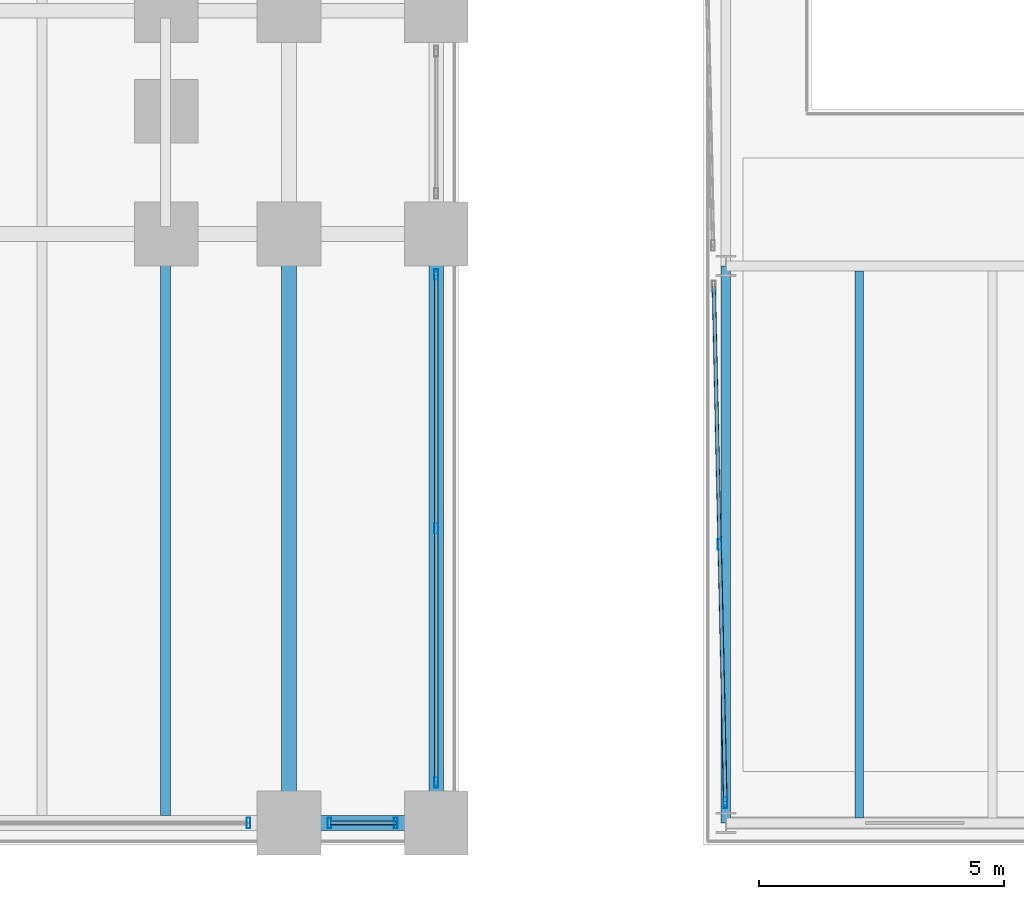
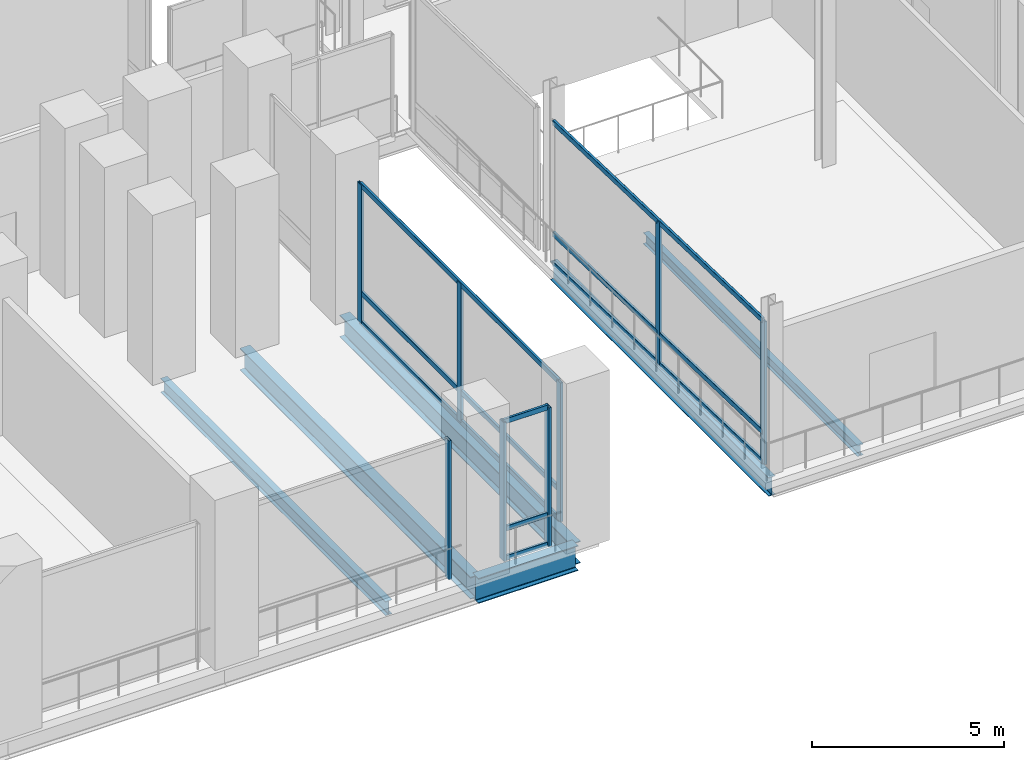
# One storey, part 11 of 31: 17 members, 6 beams, 4 elements without a shape of their own.
"""IFC4 building model written with IfcOpenShell, lengths in metres."""

import ifcopenshell
import ifcopenshell.guid

model = None  # the IFC model being written
_history = None  # IfcOwnerHistory: only IFC2X3 demands one
_inside = {}  # id of a spatial element -> (the spatial element, [elements in it])
_under = {}  # id of a project, library or spatial element -> (it, [spatial elements below it])
_declared = {}  # id of a project -> (the project, [libraries it declares])
_typed = {}  # id of a type object -> (the type object, [elements of that type])
_made_of = {}  # id of a material, layer set ... -> (it, [elements and type objects made of it])


def new_model(schema):
    """Start an empty IFC model of exactly this schema.

    Asked for "IFC4X3", IfcOpenShell would pick the latest addendum, in which some entities
    have other attributes; the version numbers below select the first issue.
    IFC2X3 requires an IfcOwnerHistory on every rooted entity: one is made here for all.
    """
    global model, _history
    if schema == "IFC4X3":
        model = ifcopenshell.file(schema_version=(4, 3, 0, 0))
    else:
        model = ifcopenshell.file(schema=schema)
    _inside.clear()
    _under.clear()
    _declared.clear()
    _typed.clear()
    _made_of.clear()
    _history = None
    if model.schema == "IFC2X3":
        org = make("IfcOrganization", Name="unknown")
        user = make(
            "IfcPersonAndOrganization",
            ThePerson=make("IfcPerson", FamilyName="unknown"),
            TheOrganization=org,
        )
        app = make(
            "IfcApplication",
            ApplicationDeveloper=org,
            Version="unknown",
            ApplicationFullName="unknown",
            ApplicationIdentifier="unknown",
        )
        _history = make(
            "IfcOwnerHistory",
            OwningUser=user,
            OwningApplication=app,
            ChangeAction="ADDED",
            CreationDate=0,
        )
    return model


def make(cls, **values):
    """One entity of the class cls with the attributes given. An attribute that is None is left unset."""
    return model.create_entity(
        cls, **{name: value for name, value in values.items() if value is not None}
    )


def rooted(cls, **values):
    """An entity with a GlobalId (a new one), such as an element, a storey or a relation."""
    return make(cls, GlobalId=ifcopenshell.guid.new(), OwnerHistory=_history, **values)


def si_unit(unit_type, name, prefix=None):
    """IfcSIUnit, for example si_unit("LENGTHUNIT", "METRE", prefix="MILLI")."""
    return make("IfcSIUnit", UnitType=unit_type, Prefix=prefix, Name=name)


def assignment(units):
    """IfcUnitAssignment: the units of a project."""
    return None if units is None else make("IfcUnitAssignment", Units=units)


def point(xyz):
    """IfcCartesianPoint."""
    return None if xyz is None else make("IfcCartesianPoint", Coordinates=xyz)


def direction(xyz):
    """IfcDirection."""
    return None if xyz is None else make("IfcDirection", DirectionRatios=xyz)


def frame(location, z_axis=None, x_axis=None):
    """IfcAxis2Placement3D, a coordinate frame: its origin and axes. An axis left out is left unset."""
    return make(
        "IfcAxis2Placement3D",
        Location=point(location),
        Axis=direction(z_axis),
        RefDirection=direction(x_axis),
    )


def frame_2d(location, x_axis=None):
    """IfcAxis2Placement2D, a coordinate frame in the plane: its origin and x axis."""
    return make(
        "IfcAxis2Placement2D", Location=point(location), RefDirection=direction(x_axis)
    )


def origin():
    """The frame at (0, 0, 0) with its axes left unset."""
    return frame((0.0, 0.0, 0.0))


def origin_2d():
    """The frame at (0, 0) in the plane with its x axis left unset."""
    return frame_2d((0.0, 0.0))


def place(relative_to, where):
    """IfcLocalPlacement: puts the frame where relative to a parent placement (None: the world)."""
    return make(
        "IfcLocalPlacement", PlacementRelTo=relative_to, RelativePlacement=where
    )


def context(
    kind, dimensions, precision=None, world=None, true_north=None, identifier=None
):
    """IfcGeometricRepresentationContext, for example the 3D "Model" context."""
    return make(
        "IfcGeometricRepresentationContext",
        ContextIdentifier=identifier,
        ContextType=kind,
        CoordinateSpaceDimension=dimensions,
        Precision=precision,
        WorldCoordinateSystem=world,
        TrueNorth=true_north,
    )


def subcontext(parent, identifier, kind, view, scale=None):
    """IfcGeometricRepresentationSubContext, for example "Body" below "Model"."""
    return make(
        "IfcGeometricRepresentationSubContext",
        ContextIdentifier=identifier,
        ContextType=kind,
        ParentContext=parent,
        TargetScale=scale,
        TargetView=view,
    )


def project(units=None, contexts=None):
    """IfcProject with its units and contexts."""
    return rooted(
        "IfcProject",
        Name="project",
        RepresentationContexts=contexts,
        UnitsInContext=assignment(units),
    )


def spatial(cls, under=None, at=None, **own):
    """A site, building, storey or space (cls), placed at a placement, below another one or the project."""
    s = rooted(cls, ObjectPlacement=at, **own)
    if under is not None:
        _under.setdefault(under.id(), (under, []))[1].append(s)
    return s


def profile(cls, at=None, kind="AREA", **sizes):
    """A parametric profile (cls). Its sizes go by their IFC names, for example OverallWidth=200.0."""
    return make(cls, ProfileType=kind, Position=at, **sizes)


def hollow_rectangle(**sizes):
    """IfcRectangleHollowProfileDef."""
    return profile("IfcRectangleHollowProfileDef", **sizes)


def i_section(**sizes):
    """IfcIShapeProfileDef."""
    return profile("IfcIShapeProfileDef", **sizes)


def extrude(swept, where, along, depth):
    """IfcExtrudedAreaSolid: the profile swept, set in the frame where, extruded along a direction by depth."""
    return make(
        "IfcExtrudedAreaSolid",
        SweptArea=swept,
        Position=where,
        ExtrudedDirection=direction(along),
        Depth=depth,
    )


def shape(context_of_items, identifier, shape_type, items):
    """IfcShapeRepresentation: the items that make up one representation, for example the "Body"."""
    return make(
        "IfcShapeRepresentation",
        ContextOfItems=context_of_items,
        RepresentationIdentifier=identifier,
        RepresentationType=shape_type,
        Items=items,
    )


def material(Name=None, Category=None):
    """IfcMaterial."""
    return make("IfcMaterial", Name=Name, Category=Category)


def material_profile(
    of_material, cross_section, Name=None, Category=None, Priority=None
):
    """IfcMaterialProfile: a cross section and its material."""
    return make(
        "IfcMaterialProfile",
        Name=Name,
        Material=of_material,
        Profile=cross_section,
        Priority=Priority,
        Category=Category,
    )


def profile_set(profiles, Name=None, composite=None):
    """IfcMaterialProfileSet."""
    return make(
        "IfcMaterialProfileSet",
        Name=Name,
        MaterialProfiles=profiles,
        CompositeProfile=composite,
    )


def made_of(thing, what):
    """Note that an element or type object is made of a material, layer set ...; save() writes the relation."""
    if what is not None:
        _made_of.setdefault(what.id(), (what, []))[1].append(thing)
    return thing


def type_object(cls, material=None, **own):
    """A type object (cls), such as IfcWallType, which elements share."""
    return made_of(rooted(cls, **own), material)


def element(
    cls,
    number,
    at=None,
    inside=None,
    cuts=None,
    type_object=None,
    material=None,
    context=None,
    identifier="Body",
    shape_type=None,
    held_by="IfcProductDefinitionShape",
    body=None,
    shapes=None,
    **own,
):
    """One element of the class cls, such as IfcWall. Its Tag is "e" and its number.

    at: its placement. inside: the storey or other place that contains it. cuts: it is an
    opening in that element (IfcRelVoidsElement). A single representation is given by context,
    identifier, shape_type and body (its items); several are given by shapes. held_by: the class
    of the entity that holds the representations. save() writes the other relations.
    """
    e = rooted(cls, Tag="e%d" % number, ObjectPlacement=at, **own)
    if body is not None:
        shapes = [shape(context, identifier, shape_type, body)]
    if shapes is not None:
        e.Representation = make(held_by, Representations=shapes)
    if inside is not None:
        _inside.setdefault(inside.id(), (inside, []))[1].append(e)
    if cuts is not None:
        rooted(
            "IfcRelVoidsElement", RelatingBuildingElement=cuts, RelatedOpeningElement=e
        )
    if type_object is not None:
        _typed.setdefault(type_object.id(), (type_object, []))[1].append(e)
    return made_of(e, material)


def aggregate(whole, parts):
    """IfcRelAggregates: a whole, such as a stair, and the parts it consists of."""
    return rooted("IfcRelAggregates", RelatingObject=whole, RelatedObjects=parts)


def save(model, path):
    """Write the relations noted so far, then the file.

    IfcRelAggregates (storeys below a building ...), IfcRelContainedInSpatialStructure (elements
    in a storey), IfcRelDefinesByType, IfcRelAssociatesMaterial and IfcRelDeclares: one each for
    every whole, place, type object, material and project.
    """
    for whole, parts in _under.values():
        aggregate(whole, parts)
    for where, things in _inside.values():
        rooted(
            "IfcRelContainedInSpatialStructure",
            RelatedElements=things,
            RelatingStructure=where,
        )
    for kind, things in _typed.values():
        rooted("IfcRelDefinesByType", RelatedObjects=things, RelatingType=kind)
    for what, things in _made_of.values():
        rooted("IfcRelAssociatesMaterial", RelatedObjects=things, RelatingMaterial=what)
    for by, libraries in _declared.values():
        rooted("IfcRelDeclares", RelatingContext=by, RelatedDefinitions=libraries)
    model.write(path)


model = new_model("IFC4")

# Units and contexts
model_context = context("Model", 3, precision=1e-05, world=origin(), true_north=direction((0.0, 1.0)))
body_context = subcontext(model_context, "Body", "Model", "MODEL_VIEW")
ifc_project = project(units=[si_unit("LENGTHUNIT", "METRE"), si_unit("AREAUNIT", "SQUARE_METRE"), si_unit("VOLUMEUNIT", "CUBIC_METRE"), si_unit("PLANEANGLEUNIT", "RADIAN"), si_unit("MASSUNIT", "GRAM", prefix="KILO")], contexts=[model_context])

# Site, building, storey
site_placement = place(None, origin())
site = spatial("IfcSite", under=ifc_project, at=site_placement, CompositionType="ELEMENT")
building_placement = place(site_placement, origin())
building = spatial("IfcBuilding", under=site, at=building_placement, Name="Noeulbin Bourse Tower", CompositionType="ELEMENT")
storey_placement = place(building_placement, frame((0.0, 0.0, 11.199951171875)))
storey = spatial("IfcBuildingStorey", under=building, at=storey_placement, Name="L03", CompositionType="ELEMENT", Elevation=11.199951171875)

# Beams
ifc_material_1 = material(Name="Steel S355", Category="steel")
ifc_material_profile_1 = material_profile(ifc_material_1, i_section(OverallWidth=0.199951171875, OverallDepth=0.60009765625, WebThickness=0.010986328125, FlangeThickness=0.01708984375, FilletRadius=0.02197265625, at=origin_2d()), Name="H-600x200x11x17", Category="LoadBearing")
ifc_profile_set_1 = profile_set([ifc_material_profile_1], Name="Steel S355")
beam_type_1 = type_object("IfcBeamType", Name="BM-GRD-600", PredefinedType="USERDEFINED", material=ifc_profile_set_1)
beam_1_placement = place(storey_placement, frame((60.449951171875, 3.449951171875, -0.52001953125), z_axis=(0.0, 1.0, 0.0), x_axis=(-1.0, 0.0, 0.0)))
element("IfcBeam", 1, at=beam_1_placement, inside=storey, type_object=beam_type_1, Name="Market Hall Girder NS L03-11", ObjectType="GIRDER", PredefinedType="USERDEFINED", context=body_context, shape_type="SweptSolid", body=[
    extrude(i_section(OverallWidth=0.199951171875, OverallDepth=0.60009765625, WebThickness=0.010986328125, FlangeThickness=0.01708984375, FilletRadius=0.02197265625, at=origin_2d()), origin(), (0.0, 0.0, 1.0), 11.35009765625),
])
ifc_material_profile_2 = material_profile(ifc_material_1, i_section(OverallWidth=0.300048828125, OverallDepth=0.699951171875, WebThickness=0.012939453125, FlangeThickness=0.02392578125, FilletRadius=0.02392578125, at=origin_2d()), Name="H-700x300x13x24", Category="LoadBearing")
ifc_profile_set_2 = profile_set([ifc_material_profile_2], Name="Steel S355")
beam_type_2 = type_object("IfcBeamType", Name="BM-GRD-700", PredefinedType="USERDEFINED", material=ifc_profile_set_2)
for number, where, z_axis, x_axis, name in (
    (2, (51.550048828125, 3.449951171875, -0.599853515625), (0.0, 1.0, 0.0), (-1.0, 0.0, 0.0), "Podium Primary Girder NS L03-096"),
    (3, (54.550048828125, 3.449951171875, -0.599853515625), (0.0, 1.0, 0.0), (-1.0, 0.0, 0.0), "Podium Primary Girder NS L03-102"),
):
    element("IfcBeam", number, at=place(storey_placement, frame(where, z_axis=z_axis, x_axis=x_axis)), inside=storey, type_object=beam_type_2, Name=name, ObjectType="GIRDER", PredefinedType="USERDEFINED", context=body_context, shape_type="SweptSolid", body=[
        extrude(i_section(OverallWidth=0.300048828125, OverallDepth=0.699951171875, WebThickness=0.012939453125, FlangeThickness=0.02392578125, FilletRadius=0.02392578125, at=origin_2d()), origin(), (0.0, 0.0, 1.0), 12.0),
    ])
ifc_material_profile_3 = material_profile(ifc_material_1, i_section(OverallWidth=0.300048828125, OverallDepth=0.800048828125, WebThickness=0.013916015625, FlangeThickness=0.02587890625, FilletRadius=0.02587890625, at=origin_2d()), Name="H-800x300x14x26", Category="LoadBearing")
ifc_profile_set_3 = profile_set([ifc_material_profile_3], Name="Steel S355")
beam_type_3 = type_object("IfcBeamType", Name="BM-GRD-800", PredefinedType="USERDEFINED", material=ifc_profile_set_3)
beam_2_placement = place(storey_placement, frame((51.550048828125, 3.449951171875, -0.64990234375), z_axis=(1.0, 0.0, 0.0), x_axis=(0.0, 1.0, 0.0)))
element("IfcBeam", 4, at=beam_2_placement, inside=storey, type_object=beam_type_3, Name="Podium Primary Girder EW L03-008", ObjectType="GIRDER", PredefinedType="USERDEFINED", context=body_context, shape_type="SweptSolid", body=[
    extrude(i_section(OverallWidth=0.300048828125, OverallDepth=0.800048828125, WebThickness=0.013916015625, FlangeThickness=0.02587890625, FilletRadius=0.02587890625, at=origin_2d()), origin(), (0.0, 0.0, 1.0), 3.0),
])
ifc_material_profile_4 = material_profile(ifc_material_1, i_section(OverallWidth=0.175048828125, OverallDepth=0.35009765625, WebThickness=0.007080078125, FlangeThickness=0.010986328125, FilletRadius=0.013916015625, at=origin_2d()), Name="H-350x175x7x11", Category="LoadBearing")
ifc_profile_set_4 = profile_set([ifc_material_profile_4], Name="Steel S355")
beam_type_4 = type_object("IfcBeamType", Name="BM-JST-350", PredefinedType="JOIST", material=ifc_profile_set_4)
beam_3_placement = place(storey_placement, frame((63.166748046875, 3.550048828125, -0.39501953125), z_axis=(0.0, 1.0, 0.0), x_axis=(-1.0, 0.0, 0.0)))
element("IfcBeam", 5, at=beam_3_placement, inside=storey, type_object=beam_type_4, Name="Market Hall Secondary Joist L03-01", PredefinedType="JOIST", context=body_context, shape_type="SweptSolid", body=[
    extrude(i_section(OverallWidth=0.175048828125, OverallDepth=0.35009765625, WebThickness=0.007080078125, FlangeThickness=0.010986328125, FilletRadius=0.013916015625, at=origin_2d()), origin(), (0.0, 0.0, 1.0), 11.14990234375),
])
ifc_material_profile_5 = material_profile(ifc_material_1, i_section(OverallWidth=0.199951171875, OverallDepth=0.449951171875, WebThickness=0.009033203125, FlangeThickness=0.013916015625, FilletRadius=0.01806640625, at=origin_2d()), Name="H-450x200x9x14", Category="LoadBearing")
ifc_profile_set_5 = profile_set([ifc_material_profile_5], Name="Steel S355")
beam_type_5 = type_object("IfcBeamType", Name="BM-SEC-450", PredefinedType="BEAM", material=ifc_profile_set_5)
beam_4_placement = place(storey_placement, frame((49.033203125, 3.60009765625, -0.474853515625), z_axis=(0.0, 1.0, 0.0), x_axis=(-1.0, 0.0, 0.0)))
element("IfcBeam", 6, at=beam_4_placement, inside=storey, type_object=beam_type_5, Name="Podium Secondary Beam L03-079", PredefinedType="BEAM", context=body_context, shape_type="SweptSolid", body=[
    extrude(i_section(OverallWidth=0.199951171875, OverallDepth=0.449951171875, WebThickness=0.009033203125, FlangeThickness=0.013916015625, FilletRadius=0.01806640625, at=origin_2d()), origin(), (0.0, 0.0, 1.0), 11.699951171875),
])

# Curtain wall, member
ifc_material_2 = material(Name="Laminated Clear Low-E Glass", Category="glass")
curtain_wall_type = type_object("IfcCurtainWallType", Name="CW-SYS-1", PredefinedType="NOTDEFINED", material=ifc_material_2)
curtain_wall_1_placement = place(storey_placement, origin())
curtain_wall_1 = element("IfcCurtainWall", 7, at=curtain_wall_1_placement, inside=storey, type_object=curtain_wall_type, Name="Unitised Curtain Wall CW-L03-POD-S-S6", PredefinedType="NOTDEFINED")
ifc_material_3 = material(Name="Anodised Aluminium 6063-T6", Category="aluminium")
ifc_material_profile_6 = material_profile(ifc_material_3, hollow_rectangle(XDim=0.074951171875, YDim=0.219970703125, WallThickness=0.0048828125, InnerFilletRadius=0.00244140625, OuterFilletRadius=0.0048828125, at=origin_2d()), Name="ALU-MULL-75x220x5", Category="LoadBearing")
ifc_profile_set_6 = profile_set([ifc_material_profile_6], Name="Anodised Aluminium 6063-T6")
member_type_1 = type_object("IfcMemberType", Name="CW-SYS-1-MUL", PredefinedType="MULLION", material=ifc_profile_set_6)
member_1_placement = place(storey_placement, frame((50.72509765625, 3.449951171875, -0.02001953125), z_axis=(0.0, 0.0, 1.0), x_axis=(1.0, 0.0, 0.0)))
member_1 = element("IfcMember", 8, at=member_1_placement, type_object=member_type_1, Name="Curtain Wall Mullion CW-L03-POD-S-S6-M01", PredefinedType="MULLION", context=body_context, shape_type="SweptSolid", body=[
    extrude(hollow_rectangle(XDim=0.074951171875, YDim=0.219970703125, WallThickness=0.0048828125, InnerFilletRadius=0.00244140625, OuterFilletRadius=0.0048828125, at=origin_2d()), origin(), (0.0, 0.0, 1.0), 4.41015625),
])
aggregate(curtain_wall_1, [member_1])

# Curtain wall, members
curtain_wall_2_placement = place(storey_placement, origin())
curtain_wall_2 = element("IfcCurtainWall", 9, at=curtain_wall_2_placement, inside=storey, type_object=curtain_wall_type, Name="Unitised Curtain Wall CW-L03-POD-S-S7", PredefinedType="NOTDEFINED")
member_2_placement = place(storey_placement, frame((52.375, 3.449951171875, -0.02001953125), z_axis=(0.0, 0.0, 1.0), x_axis=(1.0, 0.0, 0.0)))
member_2 = element("IfcMember", 10, at=member_2_placement, type_object=member_type_1, Name="Curtain Wall Mullion CW-L03-POD-S-S7-M00", PredefinedType="MULLION", context=body_context, shape_type="SweptSolid", body=[
    extrude(hollow_rectangle(XDim=0.074951171875, YDim=0.219970703125, WallThickness=0.0048828125, InnerFilletRadius=0.00244140625, OuterFilletRadius=0.0048828125, at=origin_2d()), origin(), (0.0, 0.0, 1.0), 4.41015625),
])
member_3_placement = place(storey_placement, frame((53.72509765625, 3.449951171875, -0.02001953125), z_axis=(0.0, 0.0, 1.0), x_axis=(1.0, 0.0, 0.0)))
member_3 = element("IfcMember", 11, at=member_3_placement, type_object=member_type_1, Name="Curtain Wall Mullion CW-L03-POD-S-S7-M01", PredefinedType="MULLION", context=body_context, shape_type="SweptSolid", body=[
    extrude(hollow_rectangle(XDim=0.074951171875, YDim=0.219970703125, WallThickness=0.0048828125, InnerFilletRadius=0.00244140625, OuterFilletRadius=0.0048828125, at=origin_2d()), origin(), (0.0, 0.0, 1.0), 4.41015625),
])

curtain_wall_3_placement = place(storey_placement, origin())
curtain_wall_3 = element("IfcCurtainWall", 12, at=curtain_wall_3_placement, inside=storey, type_object=curtain_wall_type, Name="Unitised Curtain Wall CW-L03-POD-E1-S1", PredefinedType="NOTDEFINED")
member_4_placement = place(storey_placement, frame((54.550048828125, 4.27490234375, -0.02001953125), z_axis=(0.0, 0.0, 1.0), x_axis=(1.0, 0.0, 0.0)))
member_4 = element("IfcMember", 13, at=member_4_placement, type_object=member_type_1, Name="Curtain Wall Mullion CW-L03-POD-E1-S1-M00", PredefinedType="MULLION", context=body_context, shape_type="SweptSolid", body=[
    extrude(hollow_rectangle(XDim=0.074951171875, YDim=0.219970703125, WallThickness=0.0048828125, InnerFilletRadius=0.00244140625, OuterFilletRadius=0.0048828125, at=origin_2d()), origin(), (0.0, 0.0, 1.0), 4.41015625),
])
member_5_placement = place(storey_placement, frame((54.550048828125, 9.449951171875, -0.02001953125), z_axis=(0.0, 0.0, 1.0), x_axis=(1.0, 0.0, 0.0)))
member_5 = element("IfcMember", 14, at=member_5_placement, type_object=member_type_1, Name="Curtain Wall Mullion CW-L03-POD-E1-S1-M01", PredefinedType="MULLION", context=body_context, shape_type="SweptSolid", body=[
    extrude(hollow_rectangle(XDim=0.074951171875, YDim=0.219970703125, WallThickness=0.0048828125, InnerFilletRadius=0.00244140625, OuterFilletRadius=0.0048828125, at=origin_2d()), origin(), (0.0, 0.0, 1.0), 4.41015625),
])
member_6_placement = place(storey_placement, frame((54.550048828125, 14.625, -0.02001953125), z_axis=(0.0, 0.0, 1.0), x_axis=(1.0, 0.0, 0.0)))
member_6 = element("IfcMember", 15, at=member_6_placement, type_object=member_type_1, Name="Curtain Wall Mullion CW-L03-POD-E1-S1-M02", PredefinedType="MULLION", context=body_context, shape_type="SweptSolid", body=[
    extrude(hollow_rectangle(XDim=0.074951171875, YDim=0.219970703125, WallThickness=0.0048828125, InnerFilletRadius=0.00244140625, OuterFilletRadius=0.0048828125, at=origin_2d()), origin(), (0.0, 0.0, 1.0), 4.41015625),
])

curtain_wall_4_placement = place(storey_placement, origin())
curtain_wall_4 = element("IfcCurtainWall", 16, at=curtain_wall_4_placement, inside=storey, type_object=curtain_wall_type, Name="Unitised Curtain Wall CW-L03-MKT-W1-S1", PredefinedType="NOTDEFINED")
member_7_placement = place(storey_placement, frame((60.44091796875, 3.864013671875, -0.02001953125), z_axis=(0.0, 0.0, 1.0), x_axis=(1.0, 0.0, 0.0)))
member_7 = element("IfcMember", 17, at=member_7_placement, type_object=member_type_1, Name="Curtain Wall Mullion CW-L03-MKT-W1-S1-M00", PredefinedType="MULLION", context=body_context, shape_type="SweptSolid", body=[
    extrude(hollow_rectangle(XDim=0.074951171875, YDim=0.219970703125, WallThickness=0.0048828125, InnerFilletRadius=0.00244140625, OuterFilletRadius=0.0048828125, at=origin_2d()), origin(), (0.0, 0.0, 1.0), 4.5400390625),
])
member_8_placement = place(storey_placement, frame((60.323486328125, 9.125, -0.02001953125), z_axis=(0.0, 0.0, 1.0), x_axis=(1.0, 0.0, 0.0)))
member_8 = element("IfcMember", 18, at=member_8_placement, type_object=member_type_1, Name="Curtain Wall Mullion CW-L03-MKT-W1-S1-M01", PredefinedType="MULLION", context=body_context, shape_type="SweptSolid", body=[
    extrude(hollow_rectangle(XDim=0.074951171875, YDim=0.219970703125, WallThickness=0.0048828125, InnerFilletRadius=0.00244140625, OuterFilletRadius=0.0048828125, at=origin_2d()), origin(), (0.0, 0.0, 1.0), 4.5400390625),
])

# Member
ifc_material_profile_7 = material_profile(ifc_material_3, hollow_rectangle(XDim=0.074951171875, YDim=0.159912109375, WallThickness=0.0048828125, InnerFilletRadius=0.00244140625, OuterFilletRadius=0.0048828125, at=origin_2d()), Name="ALU-TRAN-75x160x5", Category="LoadBearing")
ifc_profile_set_7 = profile_set([ifc_material_profile_7], Name="Anodised Aluminium 6063-T6")
member_type_2 = type_object("IfcMemberType", Name="CW-SYS-1-TRN", PredefinedType="USERDEFINED", material=ifc_profile_set_7)
member_9_placement = place(storey_placement, frame((52.385009765625, 3.449951171875, 0.010009765625), z_axis=(1.0, 0.0, 0.0), x_axis=(0.0, 1.0, 0.0)))
member_9 = element("IfcMember", 19, at=member_9_placement, type_object=member_type_2, Name="Curtain Wall Transom CW-L03-POD-S-S7-T00", ObjectType="TRANSOM", PredefinedType="USERDEFINED", context=body_context, shape_type="SweptSolid", body=[
    extrude(hollow_rectangle(XDim=0.074951171875, YDim=0.159912109375, WallThickness=0.0048828125, InnerFilletRadius=0.00244140625, OuterFilletRadius=0.0048828125, at=origin_2d()), origin(), (0.0, 0.0, 1.0), 1.330078125),
])

member_10_placement = place(storey_placement, frame((52.385009765625, 3.449951171875, 0.949951171875), z_axis=(1.0, 0.0, 0.0), x_axis=(0.0, 1.0, 0.0)))
member_10 = element("IfcMember", 20, at=member_10_placement, type_object=member_type_2, Name="Curtain Wall Transom CW-L03-POD-S-S7-T01", ObjectType="TRANSOM", PredefinedType="USERDEFINED", context=body_context, shape_type="SweptSolid", body=[
    extrude(hollow_rectangle(XDim=0.074951171875, YDim=0.159912109375, WallThickness=0.0048828125, InnerFilletRadius=0.00244140625, OuterFilletRadius=0.0048828125, at=origin_2d()), origin(), (0.0, 0.0, 1.0), 1.330078125),
])

member_11_placement = place(storey_placement, frame((52.385009765625, 3.449951171875, 4.360107421875), z_axis=(1.0, 0.0, 0.0), x_axis=(0.0, 1.0, 0.0)))
member_11 = element("IfcMember", 21, at=member_11_placement, type_object=member_type_2, Name="Curtain Wall Transom CW-L03-POD-S-S7-T02", ObjectType="TRANSOM", PredefinedType="USERDEFINED", context=body_context, shape_type="SweptSolid", body=[
    extrude(hollow_rectangle(XDim=0.074951171875, YDim=0.159912109375, WallThickness=0.0048828125, InnerFilletRadius=0.00244140625, OuterFilletRadius=0.0048828125, at=origin_2d()), origin(), (0.0, 0.0, 1.0), 1.330078125),
])

aggregate(curtain_wall_2, [member_2, member_3, member_9, member_10, member_11])

member_12_placement = place(storey_placement, frame((54.550048828125, 4.284912109375, 0.010009765625), z_axis=(0.0, 1.0, 0.0), x_axis=(-1.0, 0.0, 0.0)))
member_12 = element("IfcMember", 22, at=member_12_placement, type_object=member_type_2, Name="Curtain Wall Transom CW-L03-POD-E1-S1-T00", ObjectType="TRANSOM", PredefinedType="USERDEFINED", context=body_context, shape_type="SweptSolid", body=[
    extrude(hollow_rectangle(XDim=0.074951171875, YDim=0.159912109375, WallThickness=0.0048828125, InnerFilletRadius=0.00244140625, OuterFilletRadius=0.0048828125, at=origin_2d()), origin(), (0.0, 0.0, 1.0), 10.330078125),
])

member_13_placement = place(storey_placement, frame((54.550048828125, 4.284912109375, 0.949951171875), z_axis=(0.0, 1.0, 0.0), x_axis=(-1.0, 0.0, 0.0)))
member_13 = element("IfcMember", 23, at=member_13_placement, type_object=member_type_2, Name="Curtain Wall Transom CW-L03-POD-E1-S1-T01", ObjectType="TRANSOM", PredefinedType="USERDEFINED", context=body_context, shape_type="SweptSolid", body=[
    extrude(hollow_rectangle(XDim=0.074951171875, YDim=0.159912109375, WallThickness=0.0048828125, InnerFilletRadius=0.00244140625, OuterFilletRadius=0.0048828125, at=origin_2d()), origin(), (0.0, 0.0, 1.0), 10.330078125),
])

member_14_placement = place(storey_placement, frame((54.550048828125, 4.284912109375, 4.360107421875), z_axis=(0.0, 1.0, 0.0), x_axis=(-1.0, 0.0, 0.0)))
member_14 = element("IfcMember", 24, at=member_14_placement, type_object=member_type_2, Name="Curtain Wall Transom CW-L03-POD-E1-S1-T02", ObjectType="TRANSOM", PredefinedType="USERDEFINED", context=body_context, shape_type="SweptSolid", body=[
    extrude(hollow_rectangle(XDim=0.074951171875, YDim=0.159912109375, WallThickness=0.0048828125, InnerFilletRadius=0.00244140625, OuterFilletRadius=0.0048828125, at=origin_2d()), origin(), (0.0, 0.0, 1.0), 10.330078125),
])

aggregate(curtain_wall_3, [member_4, member_5, member_6, member_12, member_13, member_14])

member_15_placement = place(storey_placement, frame((60.440673828125, 3.8740234375, 0.010009765625), z_axis=(-0.022288491861, 0.999751580709, 0.0), x_axis=(-0.999751580709, -0.022288491861, 0.0)))
member_15 = element("IfcMember", 25, at=member_15_placement, type_object=member_type_2, Name="Curtain Wall Transom CW-L03-MKT-W1-S1-T00", ObjectType="TRANSOM", PredefinedType="USERDEFINED", context=body_context, shape_type="SweptSolid", body=[
    extrude(hollow_rectangle(XDim=0.074951171875, YDim=0.159912109375, WallThickness=0.0048828125, InnerFilletRadius=0.00244140625, OuterFilletRadius=0.0048828125, at=origin_2d()), origin(), (0.0, 0.0, 1.0), 10.504638671875),
])

member_16_placement = place(storey_placement, frame((60.440673828125, 3.8740234375, 0.949951171875), z_axis=(-0.022288491861, 0.999751580709, 0.0), x_axis=(-0.999751580709, -0.022288491861, 0.0)))
member_16 = element("IfcMember", 26, at=member_16_placement, type_object=member_type_2, Name="Curtain Wall Transom CW-L03-MKT-W1-S1-T01", ObjectType="TRANSOM", PredefinedType="USERDEFINED", context=body_context, shape_type="SweptSolid", body=[
    extrude(hollow_rectangle(XDim=0.074951171875, YDim=0.159912109375, WallThickness=0.0048828125, InnerFilletRadius=0.00244140625, OuterFilletRadius=0.0048828125, at=origin_2d()), origin(), (0.0, 0.0, 1.0), 10.504638671875),
])

member_17_placement = place(storey_placement, frame((60.440673828125, 3.8740234375, 4.489990234375), z_axis=(-0.022288491861, 0.999751580709, 0.0), x_axis=(-0.999751580709, -0.022288491861, 0.0)))
member_17 = element("IfcMember", 27, at=member_17_placement, type_object=member_type_2, Name="Curtain Wall Transom CW-L03-MKT-W1-S1-T02", ObjectType="TRANSOM", PredefinedType="USERDEFINED", context=body_context, shape_type="SweptSolid", body=[
    extrude(hollow_rectangle(XDim=0.074951171875, YDim=0.159912109375, WallThickness=0.0048828125, InnerFilletRadius=0.00244140625, OuterFilletRadius=0.0048828125, at=origin_2d()), origin(), (0.0, 0.0, 1.0), 10.504638671875),
])

aggregate(curtain_wall_4, [member_7, member_8, member_15, member_16, member_17])

save(model, "model.ifc")
